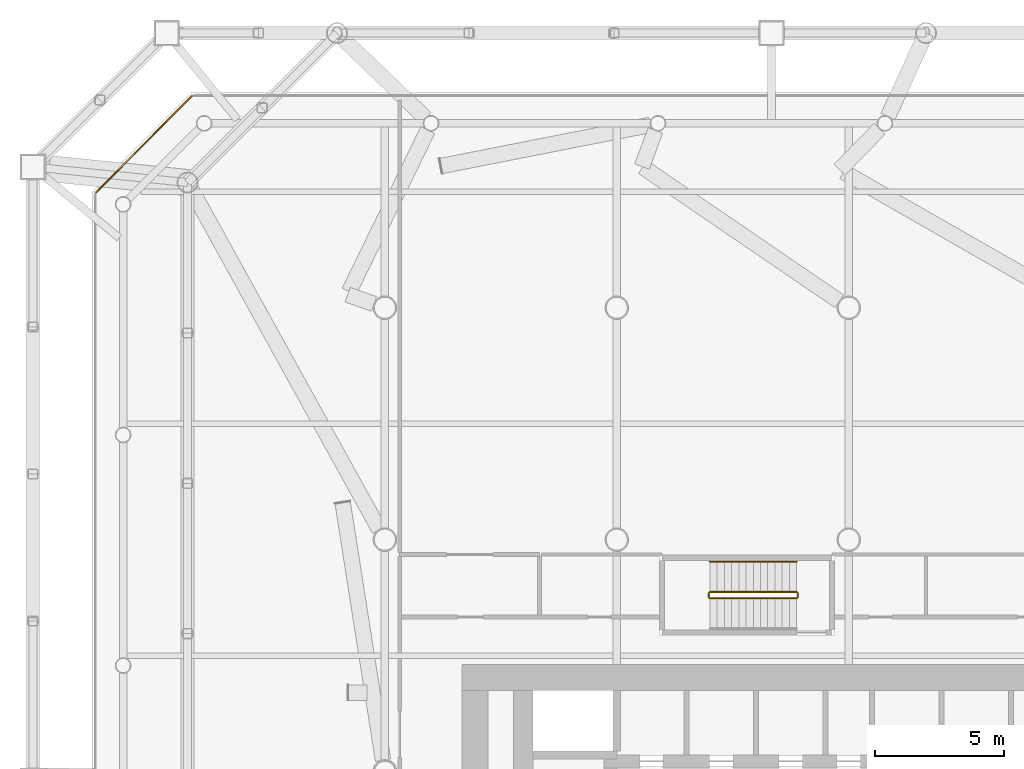
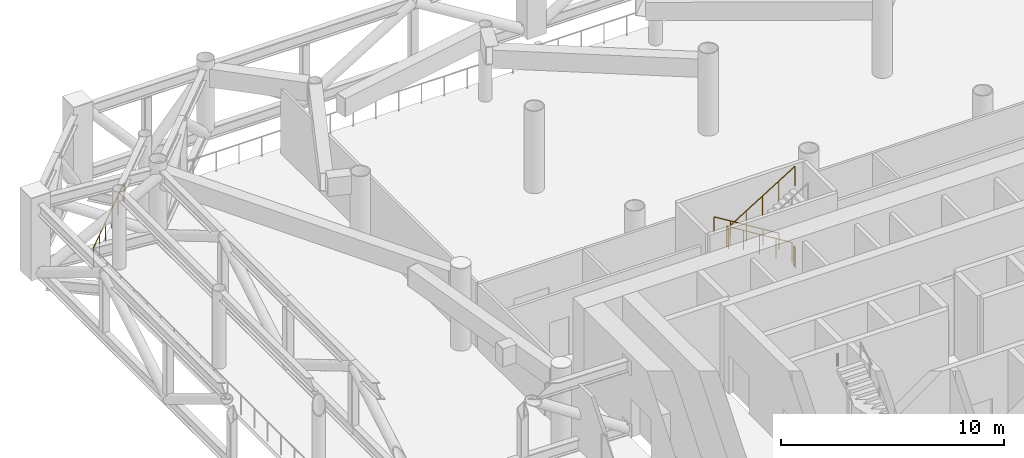
# One storey, part 21 of 22: 6 railings.
"""IFC4 building model written with IfcOpenShell, lengths in metres."""

from ifc_helpers import new_model, si_unit, direction, frame, origin, origin_2d, place, context, subcontext, project, spatial, circle, extrude, material, type_object, element, save


model = new_model("IFC4")

# Units and contexts
model_context = context("Model", 3, precision=1e-05, world=origin(), true_north=direction((0.0, 1.0)))
body_context = subcontext(model_context, "Body", "Model", "MODEL_VIEW")
ifc_project = project(units=[si_unit("LENGTHUNIT", "METRE"), si_unit("AREAUNIT", "SQUARE_METRE"), si_unit("VOLUMEUNIT", "CUBIC_METRE"), si_unit("PLANEANGLEUNIT", "RADIAN"), si_unit("MASSUNIT", "GRAM", prefix="KILO")], contexts=[model_context])

# Site, building, storey
site_placement = place(None, origin())
site = spatial("IfcSite", under=ifc_project, at=site_placement, CompositionType="ELEMENT")
building_placement = place(site_placement, origin())
building = spatial("IfcBuilding", under=site, at=building_placement, Name="Tskaro Facet Tower", CompositionType="ELEMENT")
storey_placement = place(building_placement, frame((0.0, 0.0, 57.60009765625)))
storey = spatial("IfcBuildingStorey", under=building, at=storey_placement, Name="L13", CompositionType="ELEMENT", Elevation=57.60009765625)

# Railings
ifc_material_1 = material(Name="Bronze anodised aluminium 6063-T6", Category="aluminium")
railing_type_1 = type_object("IfcRailingType", Name="Bronze guard rail (GD1)", PredefinedType="GUARDRAIL", material=ifc_material_1)
railing_1_placement = place(storey_placement, frame((-25.49072265625, 26.205078125, 0.0)))
element("IfcRailing", 1, at=railing_1_placement, inside=storey, type_object=railing_type_1, Name="Guard L13", PredefinedType="GUARDRAIL", context=body_context, shape_type="SweptSolid", body=[
    extrude(circle(Radius=0.02490234375, at=origin_2d()), frame((0.0, 0.0, 1.0751953125), z_axis=(-0.707106781187, -0.707106781187, 0.0), x_axis=(0.707106781187, -0.707106781187, 0.0)), (0.0, 0.0, 1.0), 5.2529296875),
    extrude(circle(Radius=0.02001953125, at=origin_2d()), origin(), (0.0, 0.0, 1.0), 1.050048828125),
    extrude(circle(Radius=0.02001953125, at=origin_2d()), frame((-0.742919921875, -0.742919921875, 0.0)), (0.0, 0.0, 1.0), 1.050048828125),
    extrude(circle(Radius=0.02001953125, at=origin_2d()), frame((-1.48583984375, -1.48583984375, 0.0)), (0.0, 0.0, 1.0), 1.050048828125),
    extrude(circle(Radius=0.02001953125, at=origin_2d()), frame((-2.228515625, -2.228515625, 0.0)), (0.0, 0.0, 1.0), 1.050048828125),
    extrude(circle(Radius=0.02001953125, at=origin_2d()), frame((-2.971435546875, -2.971435546875, 0.0)), (0.0, 0.0, 1.0), 1.050048828125),
    extrude(circle(Radius=0.02001953125, at=origin_2d()), frame((-3.71435546875, -3.71435546875, 0.0)), (0.0, 0.0, 1.0), 1.050048828125),
])
ifc_material_2 = material(Name="Stainless steel", Category="steel")
railing_type_2 = type_object("IfcRailingType", Name="RL-GUARD-1100", PredefinedType="GUARDRAIL", material=ifc_material_2)
railing_2_placement = place(storey_placement, frame((-2.02490234375, 6.97509765625, 0.173095703125)))
element("IfcRailing", 2, at=railing_2_placement, inside=storey, type_object=railing_type_2, Name="L13 ST-3 stair guard 1", PredefinedType="GUARDRAIL", context=body_context, shape_type="SweptSolid", body=[
    extrude(circle(Radius=0.02392578125, at=origin_2d()), frame((0.0, 0.0, 1.076171875), z_axis=(-0.850623216509, 0.0, 0.525775754039), x_axis=(0.0, -1.0, 0.0)), (0.0, 0.0, 1.0), 3.9501953125),
    extrude(circle(Radius=0.02099609375, at=origin_2d()), origin(), (0.0, 0.0, 1.0), 1.052001953125),
    extrude(circle(Radius=0.02099609375, at=origin_2d()), frame((-0.840087890625, 0.0, 0.519287109375)), (0.0, 0.0, 1.0), 1.052001953125),
    extrude(circle(Radius=0.02099609375, at=origin_2d()), frame((-1.68017578125, 0.0, 1.03857421875)), (0.0, 0.0, 1.0), 1.052001953125),
    extrude(circle(Radius=0.02099609375, at=origin_2d()), frame((-2.52001953125, 0.0, 1.5576171875)), (0.0, 0.0, 1.0), 1.052001953125),
    extrude(circle(Radius=0.02099609375, at=origin_2d()), frame((-3.360107421875, 0.0, 2.076904296875)), (0.0, 0.0, 1.0), 1.052001953125),
])
railing_3_placement = place(storey_placement, frame((-5.43505859375, 6.925048828125, 2.25)))
element("IfcRailing", 3, at=railing_3_placement, inside=storey, type_object=railing_type_2, Name="L13 ST-3 stair guard 2", PredefinedType="GUARDRAIL", context=body_context, shape_type="SweptSolid", body=[
    extrude(circle(Radius=0.02392578125, at=origin_2d()), frame((0.0, 0.0, 1.076171875), z_axis=(0.0, -1.0, 0.0), x_axis=(1.0, 0.0, 0.0)), (0.0, 0.0, 1.0), 0.150146484375),
    extrude(circle(Radius=0.02099609375, at=origin_2d()), origin(), (0.0, 0.0, 1.0), 1.052001953125),
    extrude(circle(Radius=0.02099609375, at=origin_2d()), frame((0.0, -0.150146484375, 0.0)), (0.0, 0.0, 1.0), 1.052001953125),
])
railing_4_placement = place(storey_placement, frame((-5.385009765625, 6.72509765625, 2.423095703125)))
element("IfcRailing", 4, at=railing_4_placement, inside=storey, type_object=railing_type_2, Name="L13 ST-3 stair guard 3", PredefinedType="GUARDRAIL", context=body_context, shape_type="SweptSolid", body=[
    extrude(circle(Radius=0.02392578125, at=origin_2d()), frame((0.0, 0.0, 1.076171875), z_axis=(0.850623216509, 0.0, 0.525775754039), x_axis=(0.0, 1.0, 0.0)), (0.0, 0.0, 1.0), 3.9501953125),
    extrude(circle(Radius=0.02099609375, at=origin_2d()), origin(), (0.0, 0.0, 1.0), 1.052001953125),
    extrude(circle(Radius=0.02099609375, at=origin_2d()), frame((0.840087890625, 0.0, 0.519287109375)), (0.0, 0.0, 1.0), 1.052001953125),
    extrude(circle(Radius=0.02099609375, at=origin_2d()), frame((1.68017578125, 0.0, 1.03857421875)), (0.0, 0.0, 1.0), 1.052001953125),
    extrude(circle(Radius=0.02099609375, at=origin_2d()), frame((2.52001953125, 0.0, 1.5576171875)), (0.0, 0.0, 1.0), 1.052001953125),
    extrude(circle(Radius=0.02099609375, at=origin_2d()), frame((3.360107421875, 0.0, 2.076904296875)), (0.0, 0.0, 1.0), 1.052001953125),
])
railing_5_placement = place(storey_placement, frame((-1.97509765625, 6.925048828125, 0.0)))
element("IfcRailing", 5, at=railing_5_placement, inside=storey, type_object=railing_type_2, Name="L13 ST-3 stair guard 4", PredefinedType="GUARDRAIL", context=body_context, shape_type="SweptSolid", body=[
    extrude(circle(Radius=0.02392578125, at=origin_2d()), frame((0.0, 0.0, 1.076171875), z_axis=(0.0, -1.0, 0.0), x_axis=(1.0, 0.0, 0.0)), (0.0, 0.0, 1.0), 0.150146484375),
    extrude(circle(Radius=0.02099609375, at=origin_2d()), origin(), (0.0, 0.0, 1.0), 1.052001953125),
    extrude(circle(Radius=0.02099609375, at=origin_2d()), frame((0.0, -0.150146484375, 0.0)), (0.0, 0.0, 1.0), 1.052001953125),
])
railing_type_3 = type_object("IfcRailingType", Name="RL-HANDRAIL-900", PredefinedType="HANDRAIL", material=ifc_material_2)
railing_6_placement = place(storey_placement, frame((-2.02490234375, 8.14990234375, 0.173095703125)))
element("IfcRailing", 6, at=railing_6_placement, inside=storey, type_object=railing_type_3, Name="L13 ST-3 stair handrail 1", PredefinedType="HANDRAIL", context=body_context, shape_type="SweptSolid", body=[
    extrude(circle(Radius=0.02392578125, at=origin_2d()), frame((0.0, 0.0, 0.8759765625), z_axis=(-0.850623216509, 0.0, 0.525775754039), x_axis=(0.0, -1.0, 0.0)), (0.0, 0.0, 1.0), 3.9501953125),
    extrude(circle(Radius=0.02099609375, at=origin_2d()), origin(), (0.0, 0.0, 1.0), 0.851806640625),
    extrude(circle(Radius=0.02099609375, at=origin_2d()), frame((-0.840087890625, 0.0, 0.519287109375)), (0.0, 0.0, 1.0), 0.851806640625),
    extrude(circle(Radius=0.02099609375, at=origin_2d()), frame((-1.68017578125, 0.0, 1.03857421875)), (0.0, 0.0, 1.0), 0.851806640625),
    extrude(circle(Radius=0.02099609375, at=origin_2d()), frame((-2.52001953125, 0.0, 1.5576171875)), (0.0, 0.0, 1.0), 0.851806640625),
    extrude(circle(Radius=0.02099609375, at=origin_2d()), frame((-3.360107421875, 0.0, 2.076904296875)), (0.0, 0.0, 1.0), 0.851806640625),
])

save(model, "model.ifc")
